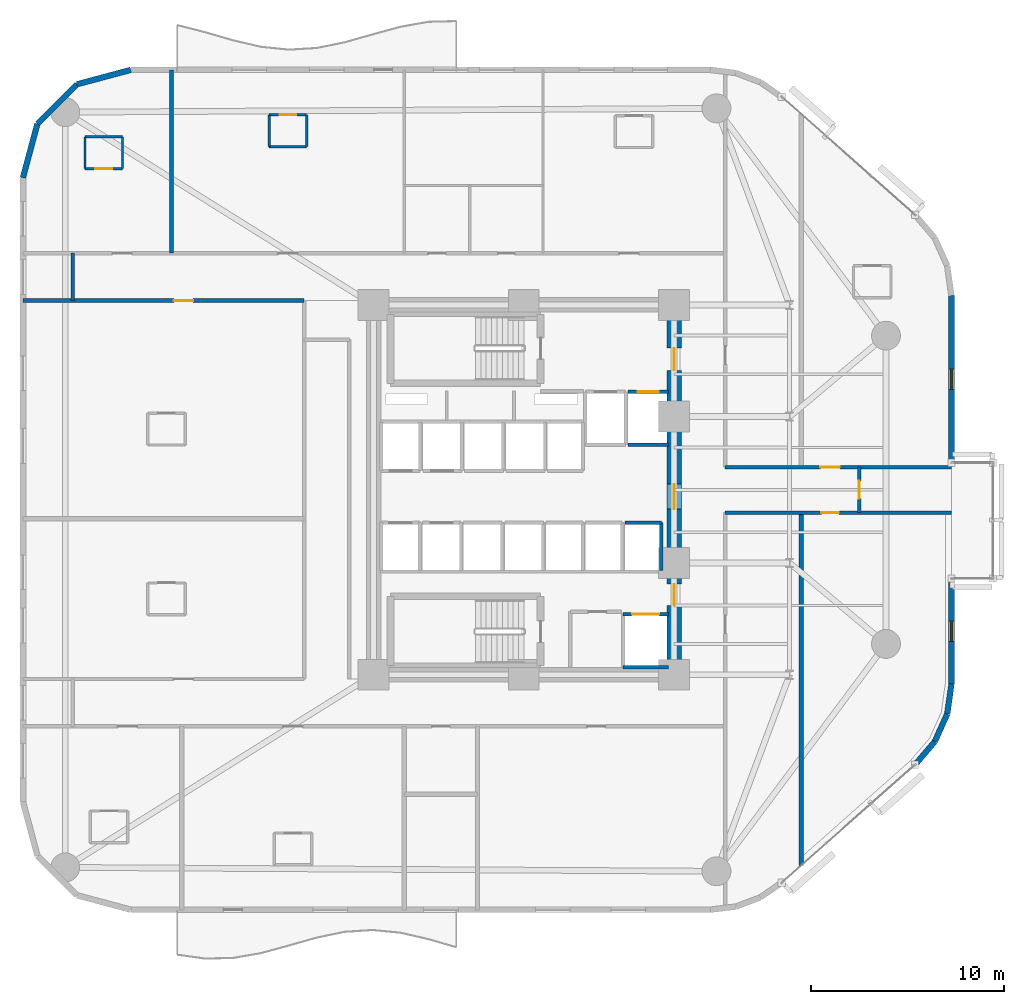
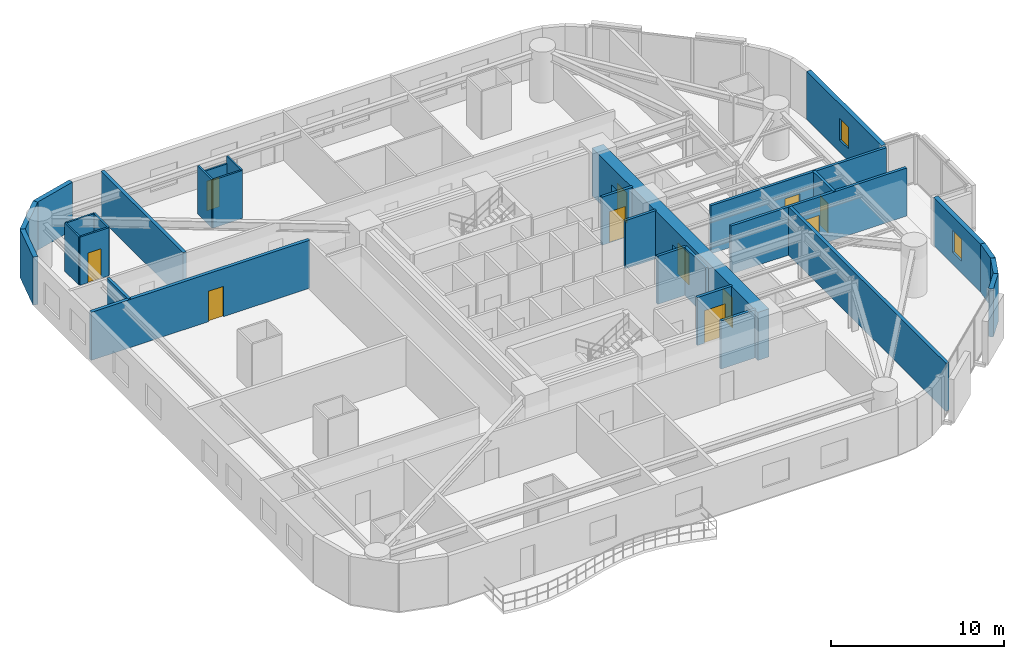
# One storey, part 12 of 17: 30 walls, 11 doors, 2 windows, 13 openings.
"""IFC4 building model written with IfcOpenShell, lengths in metres."""

from ifc_helpers import new_model, si_unit, direction, frame, frame_2d, origin, place, context, subcontext, project, spatial, rectangle, extrude, material, layer, layer_set, type_object, element, fill, save


model = new_model("IFC4")

# Units and contexts
model_context = context("Model", 3, precision=1e-05, world=origin(), true_north=direction((0.0, 1.0)))
body_context = subcontext(model_context, "Body", "Model", "MODEL_VIEW")
ifc_project = project(units=[si_unit("LENGTHUNIT", "METRE"), si_unit("AREAUNIT", "SQUARE_METRE"), si_unit("VOLUMEUNIT", "CUBIC_METRE"), si_unit("PLANEANGLEUNIT", "RADIAN"), si_unit("MASSUNIT", "GRAM", prefix="KILO")], contexts=[model_context])

# Site, building, storey
site_placement = place(None, origin())
site = spatial("IfcSite", under=ifc_project, at=site_placement, CompositionType="ELEMENT")
building_placement = place(site_placement, origin())
building = spatial("IfcBuilding", under=site, at=building_placement, Name="An Khanh Terracotta Commons", CompositionType="ELEMENT")
storey_placement = place(building_placement, frame((0.0, 0.0, 36.0)))
storey = spatial("IfcBuildingStorey", under=building, at=storey_placement, Name="L09", CompositionType="ELEMENT", Elevation=36.0)

# Wall, openings, doors
ifc_material_1 = material(Name="Concrete C70/85", Category="concrete")
ifc_layer_1 = layer(ifc_material_1, 0.75, Name="Concrete C70/85")
ifc_layer_set_1 = layer_set([ifc_layer_1], Name="Concrete C70/85")
wall_type_1 = type_object("IfcWallType", Name="WALL-CORE-750", PredefinedType="SHEAR", material=ifc_layer_set_1)
wall_1_placement = place(storey_placement, frame((37.199951171875, 14.39990234375, 0.0), z_axis=(0.0, 0.0, 1.0), x_axis=(0.0, 1.0, 0.0)))
wall_1 = element("IfcWall", 1, at=wall_1_placement, inside=storey, type_object=wall_type_1, Name="L09 Core Wall CWALL-L09-E", PredefinedType="SHEAR", context=body_context, shape_type="SweptSolid", body=[
    extrude(rectangle(XDim=19.2001953125, YDim=0.75, at=frame_2d((9.60009765625, 0.0))), origin(), (0.0, 0.0, 1.0), 3.39990234375),
])
opening_1_placement = place(wall_1_placement, frame((15.800048828125, 0.0, 0.0)))
opening_1 = element("IfcOpeningElement", 2, at=opening_1_placement, cuts=wall_1, Name="Opening D-FFL", PredefinedType="OPENING", context=body_context, shape_type="SweptSolid", body=[
    extrude(rectangle(XDim=1.14990234375, YDim=2.14990234375, at=frame_2d((0.574951171875, 1.074951171875))), frame((0.0, 0.385009765625, 0.0), z_axis=(0.0, -1.0, 0.0), x_axis=(1.0, 0.0, 0.0)), (0.0, 0.0, 1.0), 0.77001953125),
])
opening_2_placement = place(wall_1_placement, frame((3.60009765625, 0.0, 0.0)))
opening_2 = element("IfcOpeningElement", 3, at=opening_2_placement, cuts=wall_1, Name="Opening D-ST", PredefinedType="OPENING", context=body_context, shape_type="SweptSolid", body=[
    extrude(rectangle(XDim=1.10009765625, YDim=2.14990234375, at=frame_2d((0.550048828125, 1.074951171875))), frame((0.0, 0.385009765625, 0.0), z_axis=(0.0, -1.0, 0.0), x_axis=(1.0, 0.0, 0.0)), (0.0, 0.0, 1.0), 0.77001953125),
])
opening_3_placement = place(wall_1_placement, frame((8.60009765625, 0.0, 0.0)))
opening_3 = element("IfcOpeningElement", 4, at=opening_3_placement, cuts=wall_1, Name="Opening D-COR", PredefinedType="OPENING", context=body_context, shape_type="SweptSolid", body=[
    extrude(rectangle(XDim=1.300048828125, YDim=2.199951171875, at=frame_2d((0.64990234375, 1.10009765625))), frame((0.0, 0.385009765625, 0.0), z_axis=(0.0, -1.0, 0.0), x_axis=(1.0, 0.0, 0.0)), (0.0, 0.0, 1.0), 0.77001953125),
])
ifc_material_2 = material(Name="Fire-Rated Glazed Steel Double Door", Category="steel")
door_type_1 = type_object("IfcDoorType", Name="DOOR-CORR-1300", OperationType="NOTDEFINED", PredefinedType="DOOR", material=ifc_material_2)
door_1_placement = place(opening_3_placement, origin())
door_1 = element("IfcDoor", 5, at=door_1_placement, inside=storey, type_object=door_type_1, Name="L09 Passenger Lift Lobby Double Door", OperationType="DOUBLE_DOOR_SINGLE_SWING", OverallHeight=2.199951171875, OverallWidth=1.300048828125, PredefinedType="DOOR", context=body_context, shape_type="SweptSolid", body=[
    extrude(rectangle(XDim=1.300048828125, YDim=2.199951171875, at=frame_2d((0.64990234375, 1.10009765625))), frame((0.0, 0.02490234375, 0.0), z_axis=(0.0, -1.0, 0.0), x_axis=(1.0, 0.0, 0.0)), (0.0, 0.0, 1.0), 0.050048828125),
])
fill(opening_3, door_1)
ifc_material_3 = material(Name="Fire-Rated Steel Leaf and Vision Panel", Category="steel")
door_type_2 = type_object("IfcDoorType", Name="DOOR-FFL-1150", OperationType="NOTDEFINED", PredefinedType="DOOR", material=ifc_material_3)
door_2_placement = place(opening_1_placement, origin())
door_2 = element("IfcDoor", 6, at=door_2_placement, inside=storey, type_object=door_type_2, Name="L09 Firefighting Lift Lobby Fire Door", OperationType="SINGLE_SWING_LEFT", OverallHeight=2.14990234375, OverallWidth=1.14990234375, PredefinedType="DOOR", context=body_context, shape_type="SweptSolid", body=[
    extrude(rectangle(XDim=1.14990234375, YDim=2.14990234375, at=frame_2d((0.574951171875, 1.074951171875))), frame((0.0, 0.02490234375, 0.0), z_axis=(0.0, -1.0, 0.0), x_axis=(1.0, 0.0, 0.0)), (0.0, 0.0, 1.0), 0.050048828125),
])
fill(opening_1, door_2)
ifc_material_4 = material(Name="Fire-Rated Steel Leaf and Frame", Category="steel")
door_type_3 = type_object("IfcDoorType", Name="DOOR-STAIR-1100", OperationType="NOTDEFINED", PredefinedType="DOOR", material=ifc_material_4)
door_3_placement = place(opening_2_placement, origin())
door_3 = element("IfcDoor", 7, at=door_3_placement, inside=storey, type_object=door_type_3, Name="L09 South Stair Lobby Fire Door", OperationType="SINGLE_SWING_RIGHT", OverallHeight=2.14990234375, OverallWidth=1.10009765625, PredefinedType="DOOR", context=body_context, shape_type="SweptSolid", body=[
    extrude(rectangle(XDim=1.10009765625, YDim=2.14990234375, at=frame_2d((0.550048828125, 1.074951171875))), frame((0.0, 0.02490234375, 0.0), z_axis=(0.0, -1.0, 0.0), x_axis=(1.0, 0.0, 0.0)), (0.0, 0.0, 1.0), 0.050048828125),
])
fill(opening_2, door_3)

# Wall, opening, door
ifc_material_5 = material(Name="Fire-Rated Gypsum Board on Steel Stud", Category="steel")
ifc_layer_2 = layer(ifc_material_5, 0.179931640625, Name="Fire-Rated Gypsum Board on Steel Stud")
ifc_layer_set_2 = layer_set([ifc_layer_2], Name="Fire-Rated Gypsum Board on Steel Stud")
wall_type_2 = type_object("IfcWallType", Name="WALL-CORR-180", PredefinedType="PARTITIONING", material=ifc_layer_set_2)
wall_2_placement = place(storey_placement, frame((34.820068359375, 29.080078125, 0.0), z_axis=(0.0, 0.0, 1.0), x_axis=(1.0, 0.0, 0.0)))
wall_2 = element("IfcWall", 8, at=wall_2_placement, inside=storey, type_object=wall_type_2, Name="L09 Core Wall LSH-L09-FFL-02-N", PredefinedType="PARTITIONING", context=body_context, shape_type="SweptSolid", body=[
    extrude(rectangle(XDim=2.079833984375, YDim=0.179931640625, at=frame_2d((1.0400390625, 0.0))), origin(), (0.0, 0.0, 1.0), 3.39990234375),
])
opening_4_placement = place(wall_2_placement, frame((0.489990234375, 0.0, 0.0)))
opening_4 = element("IfcOpeningElement", 9, at=opening_4_placement, cuts=wall_2, Name="Opening LD-FFL-02-L09", PredefinedType="OPENING", context=body_context, shape_type="SweptSolid", body=[
    extrude(rectangle(XDim=1.10009765625, YDim=2.199951171875, at=frame_2d((0.550048828125, 1.10009765625))), frame((0.0, 0.099853515625, 0.0), z_axis=(0.0, -1.0, 0.0), x_axis=(1.0, 0.0, 0.0)), (0.0, 0.0, 1.0), 0.199951171875),
])
ifc_material_6 = material(Name="Brushed Stainless Steel Fire Landing Door", Category="steel")
door_type_4 = type_object("IfcDoorType", Name="DOOR-LD-FFL-1100", OperationType="NOTDEFINED", PredefinedType="DOOR", material=ifc_material_6)
door_4_placement = place(opening_4_placement, origin())
door_4 = element("IfcDoor", 10, at=door_4_placement, inside=storey, type_object=door_type_4, Name="L09 Lift FFL-02 Sliding Landing Door", OperationType="DOUBLE_DOOR_SLIDING", OverallHeight=2.199951171875, OverallWidth=1.10009765625, PredefinedType="DOOR", context=body_context, shape_type="SweptSolid", body=[
    extrude(rectangle(XDim=1.10009765625, YDim=2.199951171875, at=frame_2d((0.550048828125, 1.10009765625))), frame((0.0, 0.02490234375, 0.0), z_axis=(0.0, -1.0, 0.0), x_axis=(1.0, 0.0, 0.0)), (0.0, 0.0, 1.0), 0.050048828125),
])
fill(opening_4, door_4)

# Wall
wall_3_placement = place(storey_placement, frame((36.89990234375, 26.35009765625, 0.0), z_axis=(0.0, 0.0, 1.0), x_axis=(-1.0, 0.0, 0.0)))
element("IfcWall", 11, at=wall_3_placement, inside=storey, type_object=wall_type_2, Name="L09 Core Wall LSH-L09-FFL-02-S", PredefinedType="PARTITIONING", context=body_context, shape_type="SweptSolid", body=[
    extrude(rectangle(XDim=2.079833984375, YDim=0.179931640625, at=frame_2d((1.0400390625, 0.0))), origin(), (0.0, 0.0, 1.0), 3.39990234375),
])

# Wall, opening, door
wall_4_placement = place(storey_placement, frame((34.550048828125, 17.550048828125, 0.0), z_axis=(0.0, 0.0, 1.0), x_axis=(1.0, 0.0, 0.0)))
wall_4 = element("IfcWall", 12, at=wall_4_placement, inside=storey, type_object=wall_type_2, Name="L09 Core Wall LSH-L09-SVL-01-N", PredefinedType="PARTITIONING", context=body_context, shape_type="SweptSolid", body=[
    extrude(rectangle(XDim=2.349853515625, YDim=0.179931640625, at=frame_2d((1.1748046875, 0.0))), origin(), (0.0, 0.0, 1.0), 3.39990234375),
])
opening_5_placement = place(wall_4_placement, frame((0.47509765625, 0.0, 0.0)))
opening_5 = element("IfcOpeningElement", 13, at=opening_5_placement, cuts=wall_4, Name="Opening LD-SVL-01-L09", PredefinedType="OPENING", context=body_context, shape_type="SweptSolid", body=[
    extrude(rectangle(XDim=1.39990234375, YDim=2.300048828125, at=frame_2d((0.699951171875, 1.14990234375))), frame((0.0, 0.099853515625, 0.0), z_axis=(0.0, -1.0, 0.0), x_axis=(1.0, 0.0, 0.0)), (0.0, 0.0, 1.0), 0.199951171875),
])
ifc_material_7 = material(Name="Heavy-Duty Stainless Steel Goods Landing Door", Category="steel")
door_type_5 = type_object("IfcDoorType", Name="DOOR-LD-SVL-1400", OperationType="NOTDEFINED", PredefinedType="DOOR", material=ifc_material_7)
door_5_placement = place(opening_5_placement, origin())
door_5 = element("IfcDoor", 14, at=door_5_placement, inside=storey, type_object=door_type_5, Name="L09 Lift SVL-01 Sliding Landing Door", OperationType="DOUBLE_DOOR_SLIDING", OverallHeight=2.300048828125, OverallWidth=1.39990234375, PredefinedType="DOOR", context=body_context, shape_type="SweptSolid", body=[
    extrude(rectangle(XDim=1.39990234375, YDim=2.300048828125, at=frame_2d((0.699951171875, 1.14990234375))), frame((0.0, 0.02490234375, 0.0), z_axis=(0.0, -1.0, 0.0), x_axis=(1.0, 0.0, 0.0)), (0.0, 0.0, 1.0), 0.050048828125),
])
fill(opening_5, door_5)

# Walls
wall_5_placement = place(storey_placement, frame((36.89990234375, 14.800048828125, 0.0), z_axis=(0.0, 0.0, 1.0), x_axis=(-1.0, 0.0, 0.0)))
element("IfcWall", 15, at=wall_5_placement, inside=storey, type_object=wall_type_2, Name="L09 Core Wall LSH-L09-SVL-01-S", PredefinedType="PARTITIONING", context=body_context, shape_type="SweptSolid", body=[
    extrude(rectangle(XDim=2.349853515625, YDim=0.179931640625, at=frame_2d((1.1748046875, 0.0))), origin(), (0.0, 0.0, 1.0), 3.39990234375),
])
wall_6_placement = place(storey_placement, frame((34.639892578125, 22.300048828125, 0.0), z_axis=(0.0, 0.0, 1.0), x_axis=(1.0, 0.0, 0.0)))
element("IfcWall", 16, at=wall_6_placement, inside=storey, type_object=wall_type_2, Name="L09 Core Wall LSH-L09-PL-H4-N", PredefinedType="PARTITIONING", context=body_context, shape_type="SweptSolid", body=[
    extrude(rectangle(XDim=1.900146484375, YDim=0.179931640625, at=frame_2d((0.9501953125, 0.0))), origin(), (0.0, 0.0, 1.0), 3.39990234375),
])
wall_7_placement = place(storey_placement, frame((36.5400390625, 19.800048828125, 0.0), z_axis=(0.0, 0.0, 1.0), x_axis=(0.0, 1.0, 0.0)))
element("IfcWall", 17, at=wall_7_placement, inside=storey, type_object=wall_type_2, Name="L09 Core Wall LSH-L09-PL-H4-E", PredefinedType="PARTITIONING", context=body_context, shape_type="SweptSolid", body=[
    extrude(rectangle(XDim=2.5, YDim=0.179931640625, at=frame_2d((1.25, 0.0))), origin(), (0.0, 0.0, 1.0), 3.39990234375),
])

# Wall, opening, door
wall_8_placement = place(storey_placement, frame((39.85009765625, 22.820068359375, 0.0), z_axis=(0.0, 0.0, 1.0), x_axis=(1.0, 0.0, 0.0)))
wall_8 = element("IfcWall", 18, at=wall_8_placement, inside=storey, type_object=wall_type_2, Name="L09 Interior Partition IW-L09-E005", PredefinedType="PARTITIONING", context=body_context, shape_type="SweptSolid", body=[
    extrude(rectangle(XDim=11.75, YDim=0.179931640625, at=frame_2d((5.875, 0.0))), origin(), (0.0, 0.0, 1.0), 3.39990234375),
])
opening_6_placement = place(wall_8_placement, frame((4.989990234375, 0.0, 0.0)))
opening_6 = element("IfcOpeningElement", 19, at=opening_6_placement, cuts=wall_8, Name="Opening D-RM", PredefinedType="OPENING", context=body_context, shape_type="SweptSolid", body=[
    extrude(rectangle(XDim=0.919921875, YDim=2.10009765625, at=frame_2d((0.4599609375, 1.050048828125))), frame((0.0, 0.099853515625, 0.0), z_axis=(0.0, -1.0, 0.0), x_axis=(1.0, 0.0, 0.0)), (0.0, 0.0, 1.0), 0.199951171875),
])
ifc_material_8 = material(Name="Engineered Hardwood Timber Leaf", Category="wood")
door_type_6 = type_object("IfcDoorType", Name="DOOR-INT-920", OperationType="NOTDEFINED", PredefinedType="DOOR", material=ifc_material_8)
door_6_placement = place(opening_6_placement, origin())
door_6 = element("IfcDoor", 20, at=door_6_placement, inside=storey, type_object=door_type_6, Name="L09 ENO2 Riverfront Reading Hall Door", OperationType="SINGLE_SWING_RIGHT", OverallHeight=2.10009765625, OverallWidth=0.919921875, PredefinedType="DOOR", context=body_context, shape_type="SweptSolid", body=[
    extrude(rectangle(XDim=0.919921875, YDim=2.10009765625, at=frame_2d((0.4599609375, 1.050048828125))), frame((0.0, 0.02490234375, 0.0), z_axis=(0.0, -1.0, 0.0), x_axis=(1.0, 0.0, 0.0)), (0.0, 0.0, 1.0), 0.050048828125),
])
fill(opening_6, door_6)

wall_9_placement = place(storey_placement, frame((39.85009765625, 25.179931640625, 0.0), z_axis=(0.0, 0.0, 1.0), x_axis=(1.0, 0.0, 0.0)))
wall_9 = element("IfcWall", 21, at=wall_9_placement, inside=storey, type_object=wall_type_2, Name="L09 Interior Partition IW-L09-E006", PredefinedType="PARTITIONING", context=body_context, shape_type="SweptSolid", body=[
    extrude(rectangle(XDim=11.75, YDim=0.179931640625, at=frame_2d((5.875, 0.0))), origin(), (0.0, 0.0, 1.0), 3.39990234375),
])
opening_7_placement = place(wall_9_placement, frame((4.949951171875, 0.0, 0.0)))
opening_7 = element("IfcOpeningElement", 22, at=opening_7_placement, cuts=wall_9, Name="Opening D-UN", PredefinedType="OPENING", context=body_context, shape_type="SweptSolid", body=[
    extrude(rectangle(XDim=1.0, YDim=2.14990234375, at=frame_2d((0.5, 1.074951171875))), frame((0.0, 0.099853515625, 0.0), z_axis=(0.0, -1.0, 0.0), x_axis=(1.0, 0.0, 0.0)), (0.0, 0.0, 1.0), 0.199951171875),
])
ifc_material_9 = material(Name="Solid-Core Hardwood Acoustic Fire Door", Category="wood")
door_type_7 = type_object("IfcDoorType", Name="DOOR-UNIT-1000", OperationType="NOTDEFINED", PredefinedType="DOOR", material=ifc_material_9)
door_7_placement = place(opening_7_placement, origin())
door_7 = element("IfcDoor", 23, at=door_7_placement, inside=storey, type_object=door_type_7, Name="L09 ENO1 Kitchenette and Studio Apartment Door", OperationType="SINGLE_SWING_LEFT", OverallHeight=2.14990234375, OverallWidth=1.0, PredefinedType="DOOR", context=body_context, shape_type="SweptSolid", body=[
    extrude(rectangle(XDim=1.0, YDim=2.14990234375, at=frame_2d((0.5, 1.074951171875))), frame((0.0, 0.02490234375, 0.0), z_axis=(0.0, -1.0, 0.0), x_axis=(1.0, 0.0, 0.0)), (0.0, 0.0, 1.0), 0.050048828125),
])
fill(opening_7, door_7)

# Wall
wall_10_placement = place(storey_placement, frame((6.0, 33.820068359375, 0.0), z_axis=(0.0, 0.0, 1.0), x_axis=(0.0, 1.0, 0.0)))
element("IfcWall", 24, at=wall_10_placement, inside=storey, type_object=wall_type_2, Name="L09 Interior Partition IW-L09-E012", PredefinedType="PARTITIONING", context=body_context, shape_type="SweptSolid", body=[
    extrude(rectangle(XDim=2.4599609375, YDim=0.179931640625, at=frame_2d((1.22998046875, 0.0))), origin(), (0.0, 0.0, 1.0), 3.39990234375),
])

# Wall, opening, door
wall_11_placement = place(storey_placement, frame((46.800048828125, 22.820068359375, 0.0), z_axis=(0.0, 0.0, 1.0), x_axis=(0.0, 1.0, 0.0)))
wall_11 = element("IfcWall", 25, at=wall_11_placement, inside=storey, type_object=wall_type_2, Name="L09 Interior Partition IW-L09-E026", PredefinedType="PARTITIONING", context=body_context, shape_type="SweptSolid", body=[
    extrude(rectangle(XDim=2.35986328125, YDim=0.179931640625, at=frame_2d((1.179931640625, 0.0))), origin(), (0.0, 0.0, 1.0), 3.39990234375),
])
opening_8_placement = place(wall_11_placement, frame((0.719970703125, 0.0, 0.0)))
opening_8 = element("IfcOpeningElement", 26, at=opening_8_placement, cuts=wall_11, Name="Opening D-RM", PredefinedType="OPENING", context=body_context, shape_type="SweptSolid", body=[
    extrude(rectangle(XDim=0.919921875, YDim=2.10009765625, at=frame_2d((0.4599609375, 1.050048828125))), frame((0.0, 0.099853515625, 0.0), z_axis=(0.0, -1.0, 0.0), x_axis=(1.0, 0.0, 0.0)), (0.0, 0.0, 1.0), 0.199951171875),
])
door_8_placement = place(opening_8_placement, origin())
door_8 = element("IfcDoor", 27, at=door_8_placement, inside=storey, type_object=door_type_6, Name="L09 ENO3 Quiet Focus Office Door", OperationType="SINGLE_SWING_LEFT", OverallHeight=2.10009765625, OverallWidth=0.919921875, PredefinedType="DOOR", context=body_context, shape_type="SweptSolid", body=[
    extrude(rectangle(XDim=0.919921875, YDim=2.10009765625, at=frame_2d((0.4599609375, 1.050048828125))), frame((0.0, 0.02490234375, 0.0), z_axis=(0.0, -1.0, 0.0), x_axis=(1.0, 0.0, 0.0)), (0.0, 0.0, 1.0), 0.050048828125),
])
fill(opening_8, door_8)

# Walls
ifc_material_10 = material(Name="Precast concrete C40/50", Category="concrete")
ifc_layer_3 = layer(ifc_material_10, 0.300048828125, Name="Precast concrete C40/50")
ifc_layer_set_3 = layer_set([ifc_layer_3], Name="Precast concrete C40/50")
wall_type_3 = type_object("IfcWallType", Name="WALL-EXT-300", PredefinedType="SOLIDWALL", material=ifc_layer_set_3)
wall_12_placement = place(storey_placement, frame((49.7099609375, 9.72802734375, 0.0), z_axis=(0.0, 0.0, 1.0), x_axis=(0.648389989909, 0.7613083613, 0.0)))
element("IfcWall", 28, at=wall_12_placement, inside=storey, type_object=wall_type_3, Name="L09 Insulated Terracotta Exterior Wall 9", PredefinedType="SOLIDWALL", context=body_context, shape_type="SweptSolid", body=[
    extrude(rectangle(XDim=1.576171875, YDim=0.300048828125, at=frame_2d((0.7880859375, 0.0))), origin(), (0.0, 0.0, 1.0), 3.39990234375),
])
wall_13_placement = place(storey_placement, frame((50.73193359375, 10.927978515625, 0.0), z_axis=(0.0, 0.0, 1.0), x_axis=(0.410996558744, 0.911636895206, 0.0)))
element("IfcWall", 29, at=wall_13_placement, inside=storey, type_object=wall_type_3, Name="L09 Insulated Terracotta Exterior Wall 10", PredefinedType="SOLIDWALL", context=body_context, shape_type="SweptSolid", body=[
    extrude(rectangle(XDim=1.57421875, YDim=0.300048828125, at=frame_2d((0.787109375, 0.0))), origin(), (0.0, 0.0, 1.0), 3.39990234375),
])
wall_14_placement = place(storey_placement, frame((51.37890625, 12.363037109375, 0.0), z_axis=(0.0, 0.0, 1.0), x_axis=(0.140380048512, 0.990097693149, 0.0)))
element("IfcWall", 30, at=wall_14_placement, inside=storey, type_object=wall_type_3, Name="L09 Insulated Terracotta Exterior Wall 11", PredefinedType="SOLIDWALL", context=body_context, shape_type="SweptSolid", body=[
    extrude(rectangle(XDim=1.57568359375, YDim=0.300048828125, at=frame_2d((0.787841796875, 0.0))), origin(), (0.0, 0.0, 1.0), 3.39990234375),
])

# Wall, opening, window
wall_15_placement = place(storey_placement, frame((51.60009765625, 13.923095703125, 0.0), z_axis=(0.0, 0.0, 1.0), x_axis=(0.0, 1.0, 0.0)))
wall_15 = element("IfcWall", 31, at=wall_15_placement, inside=storey, type_object=wall_type_3, Name="L09 East Nose Wall South", PredefinedType="SOLIDWALL", context=body_context, shape_type="SweptSolid", body=[
    extrude(rectangle(XDim=5.476806640625, YDim=0.300048828125, at=frame_2d((2.73828125, 0.0))), origin(), (0.0, 0.0, 1.0), 3.39990234375),
])
opening_9_placement = place(wall_15_placement, frame((2.212890625, 0.0, 0.85009765625)))
opening_9 = element("IfcOpeningElement", 32, at=opening_9_placement, cuts=wall_15, Name="Opening W-06", PredefinedType="OPENING", context=body_context, shape_type="SweptSolid", body=[
    extrude(rectangle(XDim=1.050048828125, YDim=1.550048828125, at=frame_2d((0.52490234375, 0.77490234375))), frame((0.0, 0.159912109375, 0.0), z_axis=(0.0, -1.0, 0.0), x_axis=(1.0, 0.0, 0.0)), (0.0, 0.0, 1.0), 0.320068359375),
])
ifc_material_11 = material(Name="Thermally Broken Aluminium and Low-E Glass", Category="aluminium")
window_type = type_object("IfcWindowType", Name="WIN-COR-1050x1550", PartitioningType="SINGLE_PANEL", PredefinedType="WINDOW", material=ifc_material_11)
window_1_placement = place(opening_9_placement, origin())
window_1 = element("IfcWindow", 33, at=window_1_placement, inside=storey, type_object=window_type, Name="L09 East Nose South Casement Window", OverallHeight=1.550048828125, OverallWidth=1.050048828125, PartitioningType="SINGLE_PANEL", PredefinedType="WINDOW", context=body_context, shape_type="SweptSolid", body=[
    extrude(rectangle(XDim=1.050048828125, YDim=1.550048828125, at=frame_2d((0.52490234375, 0.77490234375))), frame((0.0, 0.030029296875, 0.0), z_axis=(0.0, -1.0, 0.0), x_axis=(1.0, 0.0, 0.0)), (0.0, 0.0, 1.0), 0.06005859375),
])
fill(opening_9, window_1)

wall_16_placement = place(storey_placement, frame((51.60009765625, 25.39990234375, 0.0), z_axis=(0.0, 0.0, 1.0), x_axis=(0.0, 1.0, 0.0)))
wall_16 = element("IfcWall", 34, at=wall_16_placement, inside=storey, type_object=wall_type_3, Name="L09 East Nose Wall North", PredefinedType="SOLIDWALL", context=body_context, shape_type="SweptSolid", body=[
    extrude(rectangle(XDim=8.677001953125, YDim=0.300048828125, at=frame_2d((4.33837890625, 0.0))), origin(), (0.0, 0.0, 1.0), 3.39990234375),
])
opening_10_placement = place(wall_16_placement, frame((3.81298828125, 0.0, 0.85009765625)))
opening_10 = element("IfcOpeningElement", 35, at=opening_10_placement, cuts=wall_16, Name="Opening W-06", PredefinedType="OPENING", context=body_context, shape_type="SweptSolid", body=[
    extrude(rectangle(XDim=1.050048828125, YDim=1.550048828125, at=frame_2d((0.52490234375, 0.77490234375))), frame((0.0, 0.159912109375, 0.0), z_axis=(0.0, -1.0, 0.0), x_axis=(1.0, 0.0, 0.0)), (0.0, 0.0, 1.0), 0.320068359375),
])
window_2_placement = place(opening_10_placement, origin())
window_2 = element("IfcWindow", 36, at=window_2_placement, inside=storey, type_object=window_type, Name="L09 East Nose North Casement Window", OverallHeight=1.550048828125, OverallWidth=1.050048828125, PartitioningType="SINGLE_PANEL", PredefinedType="WINDOW", context=body_context, shape_type="SweptSolid", body=[
    extrude(rectangle(XDim=1.050048828125, YDim=1.550048828125, at=frame_2d((0.52490234375, 0.77490234375))), frame((0.0, 0.030029296875, 0.0), z_axis=(0.0, -1.0, 0.0), x_axis=(1.0, 0.0, 0.0)), (0.0, 0.0, 1.0), 0.06005859375),
])
fill(opening_10, window_2)

# Walls
wall_17_placement = place(storey_placement, frame((9.0, 45.800048828125, 0.0), z_axis=(0.0, 0.0, 1.0), x_axis=(-0.96594917914, -0.258731875344, 0.0)))
element("IfcWall", 37, at=wall_17_placement, inside=storey, type_object=wall_type_3, Name="L09 Insulated Terracotta Exterior Wall 21", PredefinedType="SOLIDWALL", context=body_context, shape_type="SweptSolid", body=[
    extrude(rectangle(XDim=2.898681640625, YDim=0.300048828125, at=frame_2d((1.44921875, 0.0))), origin(), (0.0, 0.0, 1.0), 3.39990234375),
])
wall_18_placement = place(storey_placement, frame((6.199951171875, 45.050048828125, 0.0), z_axis=(0.0, 0.0, 1.0), x_axis=(-0.707106781187, -0.707106781187, 0.0)))
element("IfcWall", 38, at=wall_18_placement, inside=storey, type_object=wall_type_3, Name="L09 Insulated Terracotta Exterior Wall 22", PredefinedType="SOLIDWALL", context=body_context, shape_type="SweptSolid", body=[
    extrude(rectangle(XDim=2.899169921875, YDim=0.300048828125, at=frame_2d((1.44970703125, 0.0))), origin(), (0.0, 0.0, 1.0), 3.39990234375),
])
wall_19_placement = place(storey_placement, frame((4.14990234375, 43.0, 0.0), z_axis=(0.0, 0.0, 1.0), x_axis=(-0.258731875344, -0.96594917914, 0.0)))
element("IfcWall", 39, at=wall_19_placement, inside=storey, type_object=wall_type_3, Name="L09 Insulated Terracotta Exterior Wall 23", PredefinedType="SOLIDWALL", context=body_context, shape_type="SweptSolid", body=[
    extrude(rectangle(XDim=2.898681640625, YDim=0.300048828125, at=frame_2d((1.44921875, 0.0))), origin(), (0.0, 0.0, 1.0), 3.39990234375),
])

# Wall, opening, door
ifc_material_12 = material(Name="Acoustic Double-Stud Gypsum and Mineral Wool")
ifc_layer_4 = layer(ifc_material_12, 0.219970703125, Name="Acoustic Double-Stud Gypsum and Mineral Wool")
ifc_layer_set_4 = layer_set([ifc_layer_4], Name="Acoustic Double-Stud Gypsum and Mineral Wool")
wall_type_4 = type_object("IfcWallType", Name="WALL-PARTY-220", PredefinedType="PARTITIONING", material=ifc_layer_set_4)
wall_20_placement = place(storey_placement, frame((3.39990234375, 33.820068359375, 0.0), z_axis=(0.0, 0.0, 1.0), x_axis=(1.0, 0.0, 0.0)))
wall_20 = element("IfcWall", 40, at=wall_20_placement, inside=storey, type_object=wall_type_4, Name="L09 Interior Partition IW-L09-E008", PredefinedType="PARTITIONING", context=body_context, shape_type="SweptSolid", body=[
    extrude(rectangle(XDim=14.60009765625, YDim=0.219970703125, at=frame_2d((7.300048828125, 0.0))), origin(), (0.0, 0.0, 1.0), 3.39990234375),
])
opening_11_placement = place(wall_20_placement, frame((7.840087890625, 0.0, 0.0)))
opening_11 = element("IfcOpeningElement", 41, at=opening_11_placement, cuts=wall_20, Name="Opening D-UN", PredefinedType="OPENING", context=body_context, shape_type="SweptSolid", body=[
    extrude(rectangle(XDim=1.0, YDim=2.14990234375, at=frame_2d((0.5, 1.074951171875))), frame((0.0, 0.119873046875, 0.0), z_axis=(0.0, -1.0, 0.0), x_axis=(1.0, 0.0, 0.0)), (0.0, 0.0, 1.0), 0.239990234375),
])
door_9_placement = place(opening_11_placement, origin())
door_9 = element("IfcDoor", 42, at=door_9_placement, inside=storey, type_object=door_type_7, Name="L09 WW2 Kitchenette and Studio Apartment Door", OperationType="SINGLE_SWING_LEFT", OverallHeight=2.14990234375, OverallWidth=1.0, PredefinedType="DOOR", context=body_context, shape_type="SweptSolid", body=[
    extrude(rectangle(XDim=1.0, YDim=2.14990234375, at=frame_2d((0.5, 1.074951171875))), frame((0.0, 0.02490234375, 0.0), z_axis=(0.0, -1.0, 0.0), x_axis=(1.0, 0.0, 0.0)), (0.0, 0.0, 1.0), 0.050048828125),
])
fill(opening_11, door_9)

# Walls
wall_21_placement = place(storey_placement, frame((11.116943359375, 36.280029296875, 0.0), z_axis=(0.0, 0.0, 1.0), x_axis=(0.0, 1.0, 0.0)))
element("IfcWall", 43, at=wall_21_placement, inside=storey, type_object=wall_type_4, Name="L09 Interior Partition IW-L09-E013", PredefinedType="PARTITIONING", context=body_context, shape_type="SweptSolid", body=[
    extrude(rectangle(XDim=9.52001953125, YDim=0.219970703125, at=frame_2d((4.760009765625, 0.0))), origin(), (0.0, 0.0, 1.0), 3.39990234375),
])
wall_22_placement = place(storey_placement, frame((43.800048828125, 4.5, 0.0), z_axis=(0.0, 0.0, 1.0), x_axis=(0.0, 1.0, 0.0)))
element("IfcWall", 44, at=wall_22_placement, inside=storey, type_object=wall_type_4, Name="L09 Interior Partition IW-L09-E024", PredefinedType="PARTITIONING", context=body_context, shape_type="SweptSolid", body=[
    extrude(rectangle(XDim=18.320068359375, YDim=0.219970703125, at=frame_2d((9.16015625, 0.0))), origin(), (0.0, 0.0, 1.0), 3.39990234375),
])
ifc_material_13 = material(Name="Moisture-Resistant Cement Board Partition")
ifc_layer_5 = layer(ifc_material_13, 0.1201171875, Name="Moisture-Resistant Cement Board Partition")
ifc_layer_set_5 = layer_set([ifc_layer_5], Name="Moisture-Resistant Cement Board Partition")
wall_type_5 = type_object("IfcWallType", Name="WALL-WET-120", PredefinedType="PARTITIONING", material=ifc_layer_set_5)
wall_23_placement = place(storey_placement, frame((6.623046875, 42.321044921875, 0.0), z_axis=(0.0, 0.0, 1.0), x_axis=(1.0, 0.0, 0.0)))
element("IfcWall", 45, at=wall_23_placement, inside=storey, type_object=wall_type_5, Name="L09 Interior Partition IW-L09-NW1-BN", PredefinedType="PARTITIONING", context=body_context, shape_type="SweptSolid", body=[
    extrude(rectangle(XDim=1.949951171875, YDim=0.1201171875, at=frame_2d((0.97509765625, 0.0))), origin(), (0.0, 0.0, 1.0), 3.39990234375),
])

# Wall, opening, door
wall_24_placement = place(storey_placement, frame((8.572998046875, 40.6708984375, 0.0), z_axis=(0.0, 0.0, 1.0), x_axis=(-1.0, 0.0, 0.0)))
wall_24 = element("IfcWall", 46, at=wall_24_placement, inside=storey, type_object=wall_type_5, Name="L09 Interior Partition IW-L09-NW1-BS", PredefinedType="PARTITIONING", context=body_context, shape_type="SweptSolid", body=[
    extrude(rectangle(XDim=1.949951171875, YDim=0.1201171875, at=frame_2d((0.97509765625, 0.0))), origin(), (0.0, 0.0, 1.0), 3.39990234375),
])
opening_12_placement = place(wall_24_placement, frame((0.544921875, 0.0, 0.0)))
opening_12 = element("IfcOpeningElement", 47, at=opening_12_placement, cuts=wall_24, Name="Opening D-ENS", PredefinedType="OPENING", context=body_context, shape_type="SweptSolid", body=[
    extrude(rectangle(XDim=0.860107421875, YDim=2.10009765625, at=frame_2d((0.43017578125, 1.050048828125))), frame((0.0, 0.070068359375, 0.0), z_axis=(0.0, -1.0, 0.0), x_axis=(1.0, 0.0, 0.0)), (0.0, 0.0, 1.0), 0.14013671875),
])
ifc_material_14 = material(Name="Moisture-Resistant Hardwood Timber Leaf", Category="wood")
door_type_8 = type_object("IfcDoorType", Name="DOOR-BATH-860", OperationType="NOTDEFINED", PredefinedType="DOOR", material=ifc_material_14)
door_10_placement = place(opening_12_placement, origin())
door_10 = element("IfcDoor", 48, at=door_10_placement, inside=storey, type_object=door_type_8, Name="L09 Studio NW1 En-suite Door", OperationType="SINGLE_SWING_LEFT", OverallHeight=2.10009765625, OverallWidth=0.860107421875, PredefinedType="DOOR", context=body_context, shape_type="SweptSolid", body=[
    extrude(rectangle(XDim=0.860107421875, YDim=2.10009765625, at=frame_2d((0.43017578125, 1.050048828125))), frame((0.0, 0.02490234375, 0.0), z_axis=(0.0, -1.0, 0.0), x_axis=(1.0, 0.0, 0.0)), (0.0, 0.0, 1.0), 0.050048828125),
])
fill(opening_12, door_10)

# Walls
for number, where, z_axis, x_axis, name in (
    (49, (6.623046875, 42.321044921875, 0.0), (0.0, 0.0, 1.0), (0.0, -1.0, 0.0), "L09 Interior Partition IW-L09-NW1-BW"),
    (50, (8.572998046875, 40.6708984375, 0.0), (0.0, 0.0, 1.0), (0.0, 1.0, 0.0), "L09 Interior Partition IW-L09-NW1-BE"),
):
    element("IfcWall", number, at=place(storey_placement, frame(where, z_axis=z_axis, x_axis=x_axis)), inside=storey, type_object=wall_type_5, Name=name, PredefinedType="PARTITIONING", context=body_context, shape_type="SweptSolid", body=[
        extrude(rectangle(XDim=1.650146484375, YDim=0.1201171875, at=frame_2d((0.8251953125, 0.0))), origin(), (0.0, 0.0, 1.0), 3.39990234375),
    ])

# Wall, opening, door
wall_25_placement = place(storey_placement, frame((16.18310546875, 43.465087890625, 0.0), z_axis=(0.0, 0.0, 1.0), x_axis=(1.0, 0.0, 0.0)))
wall_25 = element("IfcWall", 51, at=wall_25_placement, inside=storey, type_object=wall_type_5, Name="L09 Interior Partition IW-L09-NW2-BN", PredefinedType="PARTITIONING", context=body_context, shape_type="SweptSolid", body=[
    extrude(rectangle(XDim=1.949951171875, YDim=0.1201171875, at=frame_2d((0.97509765625, 0.0))), origin(), (0.0, 0.0, 1.0), 2.882080078125),
])
opening_13_placement = place(wall_25_placement, frame((0.544921875, 0.0, 0.0)))
opening_13 = element("IfcOpeningElement", 52, at=opening_13_placement, cuts=wall_25, Name="Opening D-ENS", PredefinedType="OPENING", context=body_context, shape_type="SweptSolid", body=[
    extrude(rectangle(XDim=0.860107421875, YDim=2.10009765625, at=frame_2d((0.43017578125, 1.050048828125))), frame((0.0, 0.070068359375, 0.0), z_axis=(0.0, -1.0, 0.0), x_axis=(1.0, 0.0, 0.0)), (0.0, 0.0, 1.0), 0.14013671875),
])
door_11_placement = place(opening_13_placement, origin())
door_11 = element("IfcDoor", 53, at=door_11_placement, inside=storey, type_object=door_type_8, Name="L09 Studio NW2 En-suite Door", OperationType="SINGLE_SWING_RIGHT", OverallHeight=2.10009765625, OverallWidth=0.860107421875, PredefinedType="DOOR", context=body_context, shape_type="SweptSolid", body=[
    extrude(rectangle(XDim=0.860107421875, YDim=2.10009765625, at=frame_2d((0.43017578125, 1.050048828125))), frame((0.0, 0.02490234375, 0.0), z_axis=(0.0, -1.0, 0.0), x_axis=(1.0, 0.0, 0.0)), (0.0, 0.0, 1.0), 0.050048828125),
])
fill(opening_13, door_11)

# Walls
wall_26_placement = place(storey_placement, frame((18.133056640625, 41.81494140625, 0.0), z_axis=(0.0, 0.0, 1.0), x_axis=(-1.0, 0.0, 0.0)))
element("IfcWall", 54, at=wall_26_placement, inside=storey, type_object=wall_type_5, Name="L09 Interior Partition IW-L09-NW2-BS", PredefinedType="PARTITIONING", context=body_context, shape_type="SweptSolid", body=[
    extrude(rectangle(XDim=1.949951171875, YDim=0.1201171875, at=frame_2d((0.97509765625, 0.0))), origin(), (0.0, 0.0, 1.0), 3.39990234375),
])
for number, where, z_axis, x_axis, name in (
    (55, (16.18310546875, 43.465087890625, 0.0), (0.0, 0.0, 1.0), (0.0, -1.0, 0.0), "L09 Interior Partition IW-L09-NW2-BW"),
    (56, (18.133056640625, 41.81494140625, 0.0), (0.0, 0.0, 1.0), (0.0, 1.0, 0.0), "L09 Interior Partition IW-L09-NW2-BE"),
):
    element("IfcWall", number, at=place(storey_placement, frame(where, z_axis=z_axis, x_axis=x_axis)), inside=storey, type_object=wall_type_5, Name=name, PredefinedType="PARTITIONING", context=body_context, shape_type="SweptSolid", body=[
        extrude(rectangle(XDim=1.650146484375, YDim=0.1201171875, at=frame_2d((0.8251953125, 0.0))), origin(), (0.0, 0.0, 1.0), 3.39990234375),
    ])

save(model, "model.ifc")
